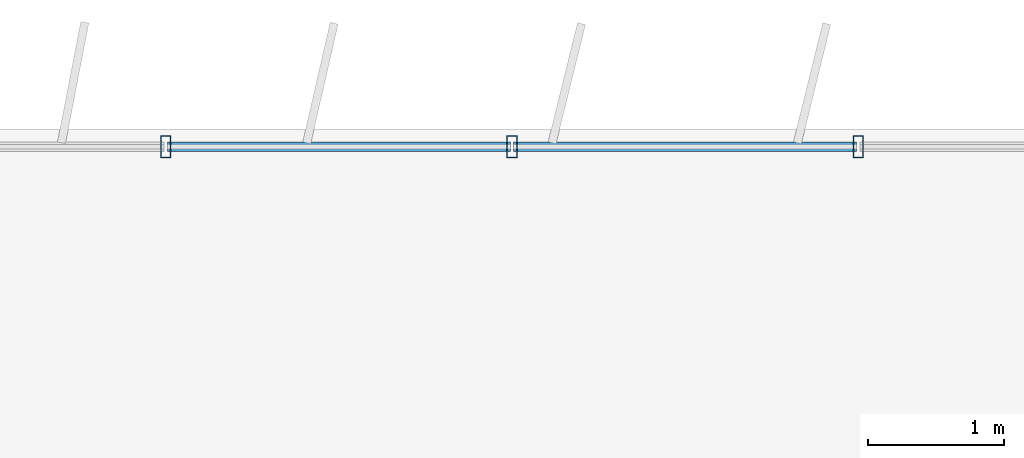
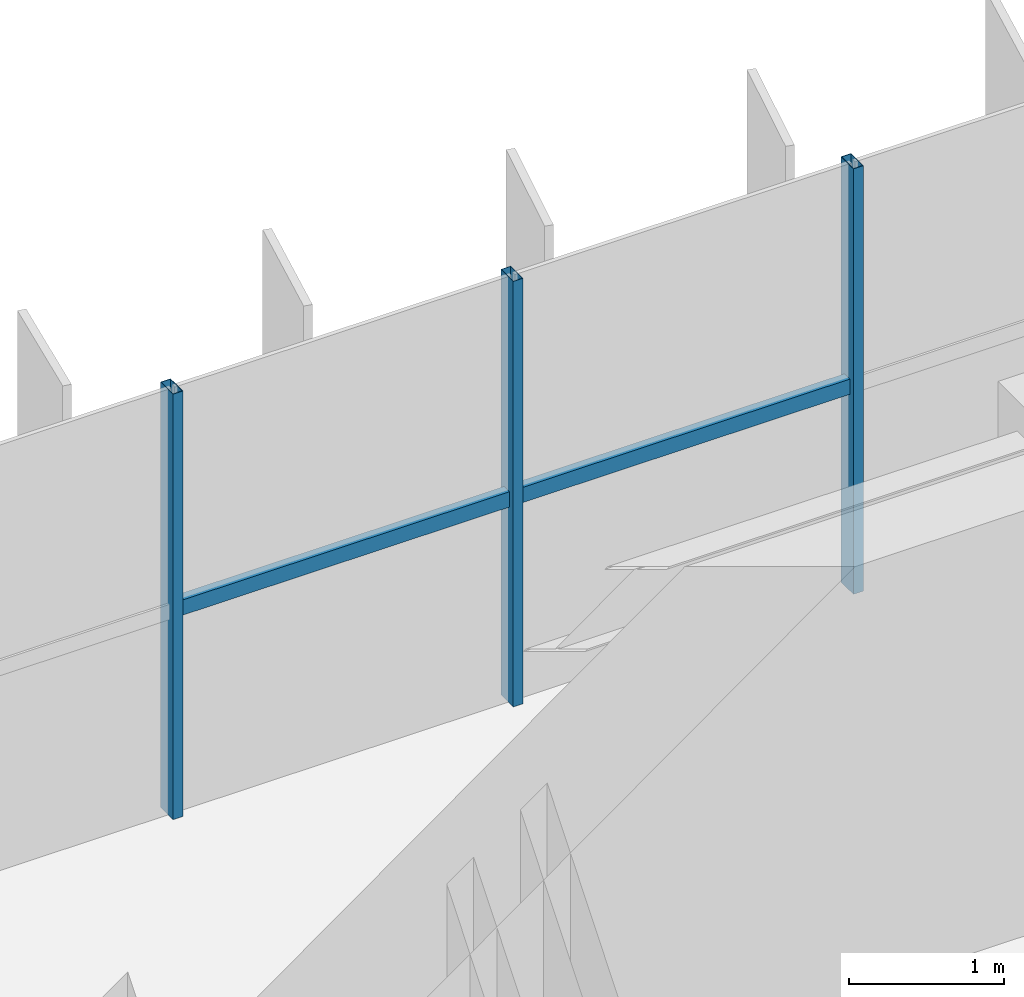
# One storey, part 8 of 23: 5 members, 1 element without a shape of its own.
"""IFC4 building model written with IfcOpenShell, lengths in metres."""

from ifc_helpers import new_model, si_unit, direction, frame, origin, origin_2d, place, context, subcontext, project, spatial, hollow_rectangle, extrude, source, transform, mapped, material, material_profile, profile_set, type_object, element, aggregate, save


model = new_model("IFC4")

# Units and contexts
model_context = context("Model", 3, precision=1e-05, world=origin(), true_north=direction((0.0, 1.0)))
body_context = subcontext(model_context, "Body", "Model", "MODEL_VIEW")
ifc_project = project(units=[si_unit("LENGTHUNIT", "METRE"), si_unit("AREAUNIT", "SQUARE_METRE"), si_unit("VOLUMEUNIT", "CUBIC_METRE"), si_unit("PLANEANGLEUNIT", "RADIAN"), si_unit("MASSUNIT", "GRAM", prefix="KILO")], contexts=[model_context])

# Site, building, storey
site_placement = place(None, origin())
site = spatial("IfcSite", under=ifc_project, at=site_placement, CompositionType="ELEMENT")
building_placement = place(site_placement, origin())
building = spatial("IfcBuilding", under=site, at=building_placement, Name="Trelvane Seafront Commons", CompositionType="ELEMENT")
storey_placement = place(building_placement, frame((0.0, 0.0, 230.10009765625)))
storey = spatial("IfcBuildingStorey", under=building, at=storey_placement, Name="L60", CompositionType="ELEMENT", Elevation=230.10009765625)

# Curtain wall, members
ifc_material = material(Name="Anodised pale-silver aluminium", Category="aluminium")
curtain_wall_type = type_object("IfcCurtainWallType", Name="ARCH-CW5-UPTOWER", PredefinedType="NOTDEFINED", material=ifc_material)
curtain_wall_placement = place(storey_placement, origin())
curtain_wall = element("IfcCurtainWall", 1, at=curtain_wall_placement, inside=storey, type_object=curtain_wall_type, Name="CW-L60-0103", PredefinedType="NOTDEFINED")
ifc_material_profile_1 = material_profile(ifc_material, hollow_rectangle(XDim=0.070068359375, YDim=0.1201171875, WallThickness=0.00390625, at=origin_2d()), Name="TRAN-70x120x4")
ifc_profile_set_1 = profile_set([ifc_material_profile_1], Name="Anodised pale-silver aluminium")
member_type_1 = type_object("IfcMemberType", Name="ARCH-CW-TRAN-120", PredefinedType="USERDEFINED", material=ifc_profile_set_1)
shared_shape_1 = source(origin(), body_context, "Body", "SweptSolid", [
    extrude(hollow_rectangle(XDim=0.070068359375, YDim=0.1201171875, WallThickness=0.00390625, at=origin_2d()), origin(), (0.0, 0.0, 1.0), 2.517333984375),
])
member_1_placement = place(storey_placement, frame((25.776611328125, 48.3701171875, 1.61279296875), z_axis=(1.0, 0.0, 0.0), x_axis=(0.0, 1.0, 0.0)))
member_1 = element("IfcMember", 2, at=member_1_placement, type_object=member_type_1, Name="CW-L60-0103-T04", ObjectType="TRANSOM", PredefinedType="USERDEFINED", context=body_context, shape_type="MappedRepresentation", body=[
    mapped(shared_shape_1, transform((0.0, 0.0, 0.0), x_axis=(1.0, 0.0, 0.0), y_axis=(0.0, 1.0, 0.0), z_axis=(0.0, 0.0, 1.0), scale=1.0)),
])
member_2_placement = place(storey_placement, frame((28.31787109375, 48.3701171875, 1.61279296875), z_axis=(1.0, 0.0, 0.0), x_axis=(0.0, 1.0, 0.0)))
member_2 = element("IfcMember", 3, at=member_2_placement, type_object=member_type_1, Name="CW-L60-0103-T05", ObjectType="TRANSOM", PredefinedType="USERDEFINED", context=body_context, shape_type="MappedRepresentation", body=[
    mapped(shared_shape_1, transform((0.0, 0.0, 0.0), x_axis=(1.0, 0.0, 0.0), y_axis=(0.0, 1.0, 0.0), z_axis=(0.0, 0.0, 1.0), scale=1.0)),
])
ifc_material_profile_2 = material_profile(ifc_material, hollow_rectangle(XDim=0.074951171875, YDim=0.159912109375, WallThickness=0.00390625, at=origin_2d()), Name="MULL-75x160x4")
ifc_profile_set_2 = profile_set([ifc_material_profile_2], Name="Anodised pale-silver aluminium")
member_type_2 = type_object("IfcMemberType", Name="ARCH-CW-MULL-160", PredefinedType="MULLION", material=ifc_profile_set_2)
shared_shape_2 = source(origin(), body_context, "Body", "SweptSolid", [
    extrude(hollow_rectangle(XDim=0.074951171875, YDim=0.159912109375, WallThickness=0.00390625, at=origin_2d()), origin(), (0.0, 0.0, 1.0), 3.35986328125),
])
member_3_placement = place(storey_placement, frame((25.7646484375, 48.3701171875, 0.0), z_axis=(0.0, 0.0, 1.0), x_axis=(1.0, 0.0, 0.0)))
member_3 = element("IfcMember", 4, at=member_3_placement, type_object=member_type_2, Name="CW-L60-0103-M04", PredefinedType="MULLION", context=body_context, shape_type="MappedRepresentation", body=[
    mapped(shared_shape_2, transform((0.0, 0.0, 0.0), x_axis=(1.0, 0.0, 0.0), y_axis=(0.0, 1.0, 0.0), z_axis=(0.0, 0.0, 1.0), scale=1.0)),
])
member_4_placement = place(storey_placement, frame((28.305908203125, 48.3701171875, 0.0), z_axis=(0.0, 0.0, 1.0), x_axis=(1.0, 0.0, 0.0)))
member_4 = element("IfcMember", 5, at=member_4_placement, type_object=member_type_2, Name="CW-L60-0103-M05", PredefinedType="MULLION", context=body_context, shape_type="MappedRepresentation", body=[
    mapped(shared_shape_2, transform((0.0, 0.0, 0.0), x_axis=(1.0, 0.0, 0.0), y_axis=(0.0, 1.0, 0.0), z_axis=(0.0, 0.0, 1.0), scale=1.0)),
])
member_5_placement = place(storey_placement, frame((30.84716796875, 48.3701171875, 0.0), z_axis=(0.0, 0.0, 1.0), x_axis=(1.0, 0.0, 0.0)))
member_5 = element("IfcMember", 6, at=member_5_placement, type_object=member_type_2, Name="CW-L60-0103-M06", PredefinedType="MULLION", context=body_context, shape_type="MappedRepresentation", body=[
    mapped(shared_shape_2, transform((0.0, 0.0, 0.0), x_axis=(1.0, 0.0, 0.0), y_axis=(0.0, 1.0, 0.0), z_axis=(0.0, 0.0, 1.0), scale=1.0)),
])
aggregate(curtain_wall, [member_3, member_4, member_5, member_1, member_2])

save(model, "model.ifc")
